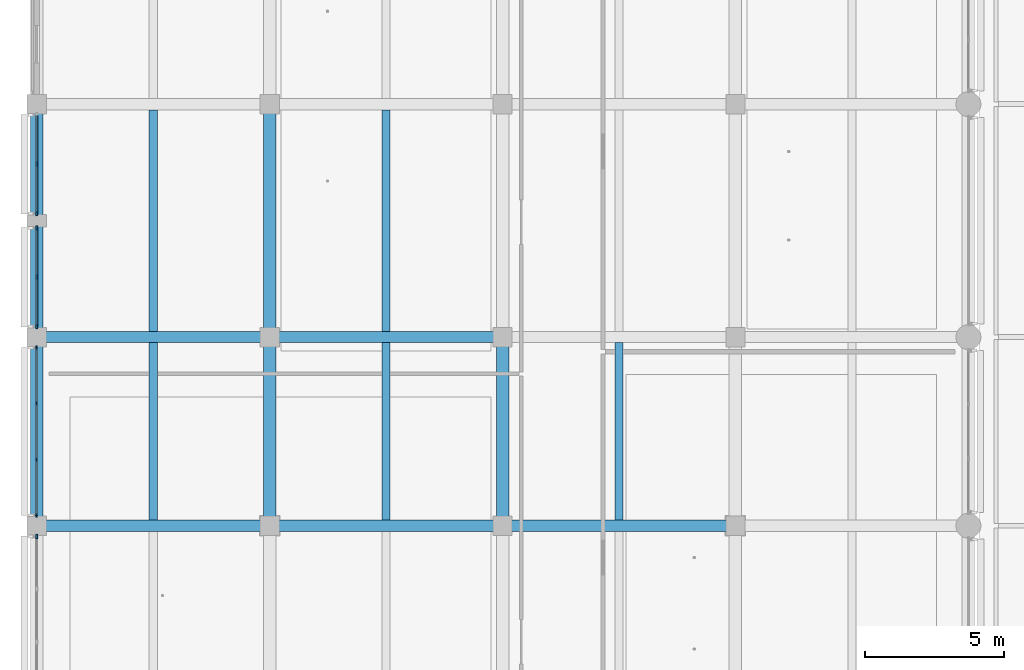
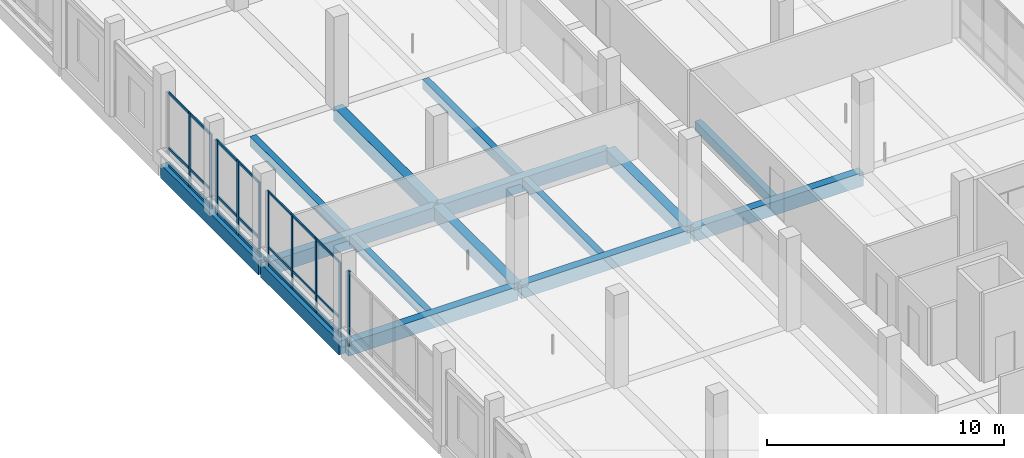
# One storey, part 12 of 128: 31 members, 15 beams, 4 elements without a shape of their own.
"""IFC4 building model written with IfcOpenShell, lengths in metres."""

from ifc_helpers import new_model, si_unit, direction, frame, origin, origin_2d, place, context, subcontext, project, spatial, rectangle, extrude, material, layer, layer_set, material_profile, profile_set, type_object, element, aggregate, save


model = new_model("IFC4")

# Units and contexts
model_context = context("Model", 3, precision=1e-05, world=origin(), true_north=direction((0.0, 1.0)))
body_context = subcontext(model_context, "Body", "Model", "MODEL_VIEW")
ifc_project = project(units=[si_unit("LENGTHUNIT", "METRE"), si_unit("AREAUNIT", "SQUARE_METRE"), si_unit("VOLUMEUNIT", "CUBIC_METRE"), si_unit("PLANEANGLEUNIT", "RADIAN"), si_unit("MASSUNIT", "GRAM", prefix="KILO")], contexts=[model_context])

# Site, building, storey
site_placement = place(None, origin())
site = spatial("IfcSite", under=ifc_project, at=site_placement, CompositionType="ELEMENT")
building_placement = place(site_placement, origin())
building = spatial("IfcBuilding", under=site, at=building_placement, Name="Telukmera Botanical Conservatory", CompositionType="ELEMENT")
storey_placement = place(building_placement, frame((0.0, 0.0, 5.39990234375)))
storey = spatial("IfcBuildingStorey", under=building, at=storey_placement, Name="L01", CompositionType="ELEMENT", Elevation=5.39990234375)

# Beams
ifc_material_1 = material(Name="Concrete C40/50", Category="concrete")
ifc_material_profile_1 = material_profile(ifc_material_1, rectangle(XDim=0.449951171875, YDim=0.699951171875, at=origin_2d()), Name="RC 450x700")
ifc_profile_set_1 = profile_set([ifc_material_profile_1], Name="Concrete C40/50")
beam_type_1 = type_object("IfcBeamType", Name="Beam_B15", PredefinedType="BEAM", material=ifc_profile_set_1)
beam_1_placement = place(storey_placement, frame((8.39990234375, 42.8798828125, -0.349853515625), z_axis=(0.0, 1.0, 0.0), x_axis=(-1.0, 0.0, 0.0)))
element("IfcBeam", 1, at=beam_1_placement, inside=storey, type_object=beam_type_1, Name="Visitor Wing Transverse Beam L01", PredefinedType="BEAM", context=body_context, shape_type="SweptSolid", body=[
    extrude(rectangle(XDim=0.449951171875, YDim=0.699951171875, at=origin_2d()), origin(), (0.0, 0.0, 1.0), 6.64013671875),
])
beam_2_placement = place(storey_placement, frame((8.39990234375, 49.679931640625, -0.349853515625), z_axis=(0.0, 1.0, 0.0), x_axis=(-1.0, 0.0, 0.0)))
element("IfcBeam", 2, at=beam_2_placement, inside=storey, type_object=beam_type_1, Name="Visitor Wing Transverse Beam L01", PredefinedType="BEAM", context=body_context, shape_type="SweptSolid", body=[
    extrude(rectangle(XDim=0.449951171875, YDim=0.699951171875, at=origin_2d()), origin(), (0.0, 0.0, 1.0), 8.239990234375),
])
beam_3_placement = place(storey_placement, frame((16.800048828125, 42.8798828125, -0.349853515625), z_axis=(0.0, 1.0, 0.0), x_axis=(-1.0, 0.0, 0.0)))
element("IfcBeam", 3, at=beam_3_placement, inside=storey, type_object=beam_type_1, Name="Visitor Wing Transverse Beam L01", PredefinedType="BEAM", context=body_context, shape_type="SweptSolid", body=[
    extrude(rectangle(XDim=0.449951171875, YDim=0.699951171875, at=origin_2d()), origin(), (0.0, 0.0, 1.0), 6.64013671875),
])
beam_4_placement = place(storey_placement, frame((16.800048828125, 49.679931640625, -0.349853515625), z_axis=(0.0, 1.0, 0.0), x_axis=(-1.0, 0.0, 0.0)))
element("IfcBeam", 4, at=beam_4_placement, inside=storey, type_object=beam_type_1, Name="Visitor Wing Transverse Beam L01", PredefinedType="BEAM", context=body_context, shape_type="SweptSolid", body=[
    extrude(rectangle(XDim=0.449951171875, YDim=0.699951171875, at=origin_2d()), origin(), (0.0, 0.0, 1.0), 8.239990234375),
])
beam_5_placement = place(storey_placement, frame((25.199951171875, 42.8798828125, -0.349853515625), z_axis=(0.0, 1.0, 0.0), x_axis=(-1.0, 0.0, 0.0)))
element("IfcBeam", 5, at=beam_5_placement, inside=storey, type_object=beam_type_1, Name="Visitor Wing Transverse Beam L01", PredefinedType="BEAM", context=body_context, shape_type="SweptSolid", body=[
    extrude(rectangle(XDim=0.449951171875, YDim=0.699951171875, at=origin_2d()), origin(), (0.0, 0.0, 1.0), 6.64013671875),
])
ifc_material_profile_2 = material_profile(ifc_material_1, rectangle(XDim=0.300048828125, YDim=0.5, at=origin_2d()), Name="RC 300x500")
ifc_profile_set_2 = profile_set([ifc_material_profile_2], Name="Concrete C40/50")
beam_type_2 = type_object("IfcBeamType", Name="Beam_B24", PredefinedType="JOIST", material=ifc_profile_set_2)
beam_6_placement = place(storey_placement, frame((12.60009765625, 43.0, -0.25), z_axis=(0.0, 1.0, 0.0), x_axis=(-1.0, 0.0, 0.0)))
element("IfcBeam", 6, at=beam_6_placement, inside=storey, type_object=beam_type_2, Name="Visitor Wing Floor Joist L01", PredefinedType="JOIST", context=body_context, shape_type="SweptSolid", body=[
    extrude(rectangle(XDim=0.300048828125, YDim=0.5, at=origin_2d()), origin(), (0.0, 0.0, 1.0), 6.39990234375),
])
beam_7_placement = place(storey_placement, frame((12.60009765625, 49.800048828125, -0.25), z_axis=(0.0, 1.0, 0.0), x_axis=(-1.0, 0.0, 0.0)))
element("IfcBeam", 7, at=beam_7_placement, inside=storey, type_object=beam_type_2, Name="Visitor Wing Floor Joist L01", PredefinedType="JOIST", context=body_context, shape_type="SweptSolid", body=[
    extrude(rectangle(XDim=0.300048828125, YDim=0.5, at=origin_2d()), origin(), (0.0, 0.0, 1.0), 8.0),
])
beam_8_placement = place(storey_placement, frame((21.0, 43.0, -0.25), z_axis=(0.0, 1.0, 0.0), x_axis=(-1.0, 0.0, 0.0)))
element("IfcBeam", 8, at=beam_8_placement, inside=storey, type_object=beam_type_2, Name="Visitor Wing Floor Joist L01", PredefinedType="JOIST", context=body_context, shape_type="SweptSolid", body=[
    extrude(rectangle(XDim=0.300048828125, YDim=0.5, at=origin_2d()), origin(), (0.0, 0.0, 1.0), 6.39990234375),
])
beam_9_placement = place(storey_placement, frame((21.0, 49.800048828125, -0.25), z_axis=(0.0, 1.0, 0.0), x_axis=(-1.0, 0.0, 0.0)))
element("IfcBeam", 9, at=beam_9_placement, inside=storey, type_object=beam_type_2, Name="Visitor Wing Floor Joist L01", PredefinedType="JOIST", context=body_context, shape_type="SweptSolid", body=[
    extrude(rectangle(XDim=0.300048828125, YDim=0.5, at=origin_2d()), origin(), (0.0, 0.0, 1.0), 8.0),
])
beam_10_placement = place(storey_placement, frame((29.39990234375, 43.0, -0.25), z_axis=(0.0, 1.0, 0.0), x_axis=(-1.0, 0.0, 0.0)))
element("IfcBeam", 10, at=beam_10_placement, inside=storey, type_object=beam_type_2, Name="Visitor Wing Floor Joist L01", PredefinedType="JOIST", context=body_context, shape_type="SweptSolid", body=[
    extrude(rectangle(XDim=0.300048828125, YDim=0.5, at=origin_2d()), origin(), (0.0, 0.0, 1.0), 6.39990234375),
])
ifc_material_profile_3 = material_profile(ifc_material_1, rectangle(XDim=0.39990234375, YDim=0.699951171875, at=origin_2d()), Name="RC 400x700")
ifc_profile_set_3 = profile_set([ifc_material_profile_3], Name="Concrete C40/50")
beam_type_3 = type_object("IfcBeamType", Name="Beam_B7", PredefinedType="BEAM", material=ifc_profile_set_3)
beam_11_placement = place(storey_placement, frame((8.47998046875, 42.800048828125, -0.349853515625), z_axis=(1.0, 0.0, 0.0), x_axis=(0.0, 1.0, 0.0)))
element("IfcBeam", 11, at=beam_11_placement, inside=storey, type_object=beam_type_3, Name="Visitor Wing Grid Beam L01", PredefinedType="BEAM", context=body_context, shape_type="SweptSolid", body=[
    extrude(rectangle(XDim=0.39990234375, YDim=0.699951171875, at=origin_2d()), origin(), (0.0, 0.0, 1.0), 8.239990234375),
])
beam_12_placement = place(storey_placement, frame((16.8798828125, 42.800048828125, -0.349853515625), z_axis=(1.0, 0.0, 0.0), x_axis=(0.0, 1.0, 0.0)))
element("IfcBeam", 12, at=beam_12_placement, inside=storey, type_object=beam_type_3, Name="Visitor Wing Grid Beam L01", PredefinedType="BEAM", context=body_context, shape_type="SweptSolid", body=[
    extrude(rectangle(XDim=0.39990234375, YDim=0.699951171875, at=origin_2d()), origin(), (0.0, 0.0, 1.0), 8.240234375),
])
for number, where, z_axis, x_axis, name in (
    (13, (25.280029296875, 42.800048828125, -0.349853515625), (1.0, 0.0, 0.0), (0.0, 1.0, 0.0), "Visitor Wing Grid Beam L01"),
    (14, (8.47998046875, 49.60009765625, -0.349853515625), (1.0, 0.0, 0.0), (0.0, 1.0, 0.0), "Visitor Wing Grid Beam L01"),
):
    element("IfcBeam", number, at=place(storey_placement, frame(where, z_axis=z_axis, x_axis=x_axis)), inside=storey, type_object=beam_type_3, Name=name, PredefinedType="BEAM", context=body_context, shape_type="SweptSolid", body=[
        extrude(rectangle(XDim=0.39990234375, YDim=0.699951171875, at=origin_2d()), origin(), (0.0, 0.0, 1.0), 8.239990234375),
    ])
beam_13_placement = place(storey_placement, frame((16.8798828125, 49.60009765625, -0.349853515625), z_axis=(1.0, 0.0, 0.0), x_axis=(0.0, 1.0, 0.0)))
element("IfcBeam", 15, at=beam_13_placement, inside=storey, type_object=beam_type_3, Name="Visitor Wing Grid Beam L01", PredefinedType="BEAM", context=body_context, shape_type="SweptSolid", body=[
    extrude(rectangle(XDim=0.39990234375, YDim=0.699951171875, at=origin_2d()), origin(), (0.0, 0.0, 1.0), 8.240234375),
])

# Curtain wall, members
ifc_material_2 = material(Name="Anodised aluminium 6063-T6", Category="aluminium")
ifc_layer_1 = layer(ifc_material_2, 0.179931640625)
ifc_layer_set_1 = layer_set([ifc_layer_1], Name="Anodised aluminium 6063-T6")
curtain_wall_type_1 = type_object("IfcCurtainWallType", Name="Visitor Courtyard Narrow Bay Curtain Wall", PredefinedType="USERDEFINED", material=ifc_layer_set_1)
curtain_wall_1_placement = place(storey_placement, origin())
curtain_wall_1 = element("IfcCurtainWall", 16, at=curtain_wall_1_placement, inside=storey, type_object=curtain_wall_type_1, Name="Unitised Curtain Wall CW10 V3:L01:W4", ObjectType="UNITISED CURTAIN WALL", PredefinedType="USERDEFINED")
ifc_material_profile_4 = material_profile(ifc_material_2, rectangle(XDim=0.06005859375, YDim=0.139892578125, at=origin_2d()), Name="ALU MULL 60x140")
ifc_profile_set_4 = profile_set([ifc_material_profile_4], Name="Anodised aluminium 6063-T6")
member_type_1 = type_object("IfcMemberType", Name="Curtain Wall Extruded Mullion 60x140", PredefinedType="MULLION", material=ifc_profile_set_4)
member_1_placement = place(storey_placement, frame((8.39990234375, 43.181884765625, 0.0), z_axis=(0.0, 0.0, 1.0), x_axis=(-1.0, 0.0, 0.0)))
member_1 = element("IfcMember", 17, at=member_1_placement, type_object=member_type_1, Name="CW10 mullion 1", PredefinedType="MULLION", context=body_context, shape_type="SweptSolid", body=[
    extrude(rectangle(XDim=0.06005859375, YDim=0.139892578125, at=origin_2d()), origin(), (0.0, 0.0, 1.0), 3.85009765625),
])
member_2_placement = place(storey_placement, frame((8.39990234375, 45.18408203125, 0.0), z_axis=(0.0, 0.0, 1.0), x_axis=(-1.0, 0.0, 0.0)))
member_2 = element("IfcMember", 18, at=member_2_placement, type_object=member_type_1, Name="CW10 mullion 2", PredefinedType="MULLION", context=body_context, shape_type="SweptSolid", body=[
    extrude(rectangle(XDim=0.06005859375, YDim=0.139892578125, at=origin_2d()), origin(), (0.0, 0.0, 1.0), 3.85009765625),
])
member_3_placement = place(storey_placement, frame((8.39990234375, 47.216064453125, 0.0), z_axis=(0.0, 0.0, 1.0), x_axis=(-1.0, 0.0, 0.0)))
member_3 = element("IfcMember", 19, at=member_3_placement, type_object=member_type_1, Name="CW10 mullion 3", PredefinedType="MULLION", context=body_context, shape_type="SweptSolid", body=[
    extrude(rectangle(XDim=0.06005859375, YDim=0.139892578125, at=origin_2d()), origin(), (0.0, 0.0, 1.0), 3.85009765625),
])
member_4_placement = place(storey_placement, frame((8.39990234375, 49.218017578125, 0.0), z_axis=(0.0, 0.0, 1.0), x_axis=(-1.0, 0.0, 0.0)))
member_4 = element("IfcMember", 20, at=member_4_placement, type_object=member_type_1, Name="CW10 mullion 4", PredefinedType="MULLION", context=body_context, shape_type="SweptSolid", body=[
    extrude(rectangle(XDim=0.06005859375, YDim=0.139892578125, at=origin_2d()), origin(), (0.0, 0.0, 1.0), 3.85009765625),
])

# Curtain wall, member
ifc_layer_2 = layer(ifc_material_2, 0.179931640625)
ifc_layer_set_2 = layer_set([ifc_layer_2], Name="Anodised aluminium 6063-T6")
curtain_wall_type_2 = type_object("IfcCurtainWallType", Name="Visitor Gallery First Floor Curtain Wall 1800 Mod", PredefinedType="USERDEFINED", material=ifc_layer_set_2)
curtain_wall_2_placement = place(storey_placement, origin())
curtain_wall_2 = element("IfcCurtainWall", 21, at=curtain_wall_2_placement, inside=storey, type_object=curtain_wall_type_2, Name="Unitised Curtain Wall CW08 V3:L01:W3", ObjectType="UNITISED CURTAIN WALL", PredefinedType="USERDEFINED")
ifc_material_profile_5 = material_profile(ifc_material_2, rectangle(XDim=0.06494140625, YDim=0.159912109375, at=origin_2d()), Name="ALU MULL 65x160")
ifc_profile_set_5 = profile_set([ifc_material_profile_5], Name="Anodised aluminium 6063-T6")
member_type_2 = type_object("IfcMemberType", Name="Curtain Wall Extruded Mullion 65x160", PredefinedType="MULLION", material=ifc_profile_set_5)
member_5_placement = place(storey_placement, frame((8.39990234375, 42.41552734375, 0.0), z_axis=(0.0, 0.0, 1.0), x_axis=(-1.0, 0.0, 0.0)))
member_5 = element("IfcMember", 22, at=member_5_placement, type_object=member_type_2, Name="CW08 mullion 5", PredefinedType="MULLION", context=body_context, shape_type="SweptSolid", body=[
    extrude(rectangle(XDim=0.06494140625, YDim=0.159912109375, at=origin_2d()), origin(), (0.0, 0.0, 1.0), 3.85009765625),
])
aggregate(curtain_wall_2, [member_5])

# Curtain wall, members
curtain_wall_3_placement = place(storey_placement, origin())
curtain_wall_3 = element("IfcCurtainWall", 23, at=curtain_wall_3_placement, inside=storey, type_object=curtain_wall_type_2, Name="Unitised Curtain Wall CW08 V3:L01:W5A", ObjectType="UNITISED CURTAIN WALL", PredefinedType="USERDEFINED")
member_6_placement = place(storey_placement, frame((8.39990234375, 49.984619140625, 0.0), z_axis=(0.0, 0.0, 1.0), x_axis=(-1.0, 0.0, 0.0)))
member_6 = element("IfcMember", 24, at=member_6_placement, type_object=member_type_2, Name="CW08 mullion 1", PredefinedType="MULLION", context=body_context, shape_type="SweptSolid", body=[
    extrude(rectangle(XDim=0.06494140625, YDim=0.159912109375, at=origin_2d()), origin(), (0.0, 0.0, 1.0), 3.85009765625),
])
member_7_placement = place(storey_placement, frame((8.39990234375, 51.762451171875, 0.0), z_axis=(0.0, 0.0, 1.0), x_axis=(-1.0, 0.0, 0.0)))
member_7 = element("IfcMember", 25, at=member_7_placement, type_object=member_type_2, Name="CW08 mullion 2", PredefinedType="MULLION", context=body_context, shape_type="SweptSolid", body=[
    extrude(rectangle(XDim=0.06494140625, YDim=0.159912109375, at=origin_2d()), origin(), (0.0, 0.0, 1.0), 3.85009765625),
])
member_8_placement = place(storey_placement, frame((8.39990234375, 53.54052734375, 0.0), z_axis=(0.0, 0.0, 1.0), x_axis=(-1.0, 0.0, 0.0)))
member_8 = element("IfcMember", 26, at=member_8_placement, type_object=member_type_2, Name="CW08 mullion 3", PredefinedType="MULLION", context=body_context, shape_type="SweptSolid", body=[
    extrude(rectangle(XDim=0.06494140625, YDim=0.159912109375, at=origin_2d()), origin(), (0.0, 0.0, 1.0), 3.85009765625),
])

curtain_wall_4_placement = place(storey_placement, origin())
curtain_wall_4 = element("IfcCurtainWall", 27, at=curtain_wall_4_placement, inside=storey, type_object=curtain_wall_type_2, Name="Unitised Curtain Wall CW08 V3:L01:W5B", ObjectType="UNITISED CURTAIN WALL", PredefinedType="USERDEFINED")
member_9_placement = place(storey_placement, frame((8.39990234375, 54.0595703125, 0.0), z_axis=(0.0, 0.0, 1.0), x_axis=(-1.0, 0.0, 0.0)))
member_9 = element("IfcMember", 28, at=member_9_placement, type_object=member_type_2, Name="CW08 mullion 1", PredefinedType="MULLION", context=body_context, shape_type="SweptSolid", body=[
    extrude(rectangle(XDim=0.06494140625, YDim=0.159912109375, at=origin_2d()), origin(), (0.0, 0.0, 1.0), 3.85009765625),
])
member_10_placement = place(storey_placement, frame((8.39990234375, 55.83740234375, 0.0), z_axis=(0.0, 0.0, 1.0), x_axis=(-1.0, 0.0, 0.0)))
member_10 = element("IfcMember", 29, at=member_10_placement, type_object=member_type_2, Name="CW08 mullion 2", PredefinedType="MULLION", context=body_context, shape_type="SweptSolid", body=[
    extrude(rectangle(XDim=0.06494140625, YDim=0.159912109375, at=origin_2d()), origin(), (0.0, 0.0, 1.0), 3.85009765625),
])

# Member
ifc_material_profile_6 = material_profile(ifc_material_2, rectangle(XDim=0.06005859375, YDim=0.110107421875, at=origin_2d()), Name="ALU TRAN 60x110")
ifc_profile_set_6 = profile_set([ifc_material_profile_6], Name="Anodised aluminium 6063-T6")
member_type_3 = type_object("IfcMemberType", Name="Curtain Wall Extruded Transom 60x110", PredefinedType="USERDEFINED", material=ifc_profile_set_6)
member_11_placement = place(storey_placement, frame((8.39990234375, 43.2119140625, 0.05517578125), z_axis=(0.0, 1.0, 0.0), x_axis=(-1.0, 0.0, 0.0)))
member_11 = element("IfcMember", 30, at=member_11_placement, type_object=member_type_3, Name="CW10 transom 1.1", ObjectType="TRANSOM", PredefinedType="USERDEFINED", context=body_context, shape_type="SweptSolid", body=[
    extrude(rectangle(XDim=0.06005859375, YDim=0.110107421875, at=origin_2d()), origin(), (0.0, 0.0, 1.0), 1.942138671875),
])

member_12_placement = place(storey_placement, frame((8.39990234375, 43.2119140625, 0.9501953125), z_axis=(0.0, 1.0, 0.0), x_axis=(-1.0, 0.0, 0.0)))
member_12 = element("IfcMember", 31, at=member_12_placement, type_object=member_type_3, Name="CW10 transom 1.2", ObjectType="TRANSOM", PredefinedType="USERDEFINED", context=body_context, shape_type="SweptSolid", body=[
    extrude(rectangle(XDim=0.06005859375, YDim=0.110107421875, at=origin_2d()), origin(), (0.0, 0.0, 1.0), 1.942138671875),
])

member_13_placement = place(storey_placement, frame((8.39990234375, 43.2119140625, 3.795166015625), z_axis=(0.0, 1.0, 0.0), x_axis=(-1.0, 0.0, 0.0)))
member_13 = element("IfcMember", 32, at=member_13_placement, type_object=member_type_3, Name="CW10 transom 1.3", ObjectType="TRANSOM", PredefinedType="USERDEFINED", context=body_context, shape_type="SweptSolid", body=[
    extrude(rectangle(XDim=0.06005859375, YDim=0.110107421875, at=origin_2d()), origin(), (0.0, 0.0, 1.0), 1.942138671875),
])

member_14_placement = place(storey_placement, frame((8.39990234375, 45.214111328125, 0.05517578125), z_axis=(0.0, 1.0, 0.0), x_axis=(-1.0, 0.0, 0.0)))
member_14 = element("IfcMember", 33, at=member_14_placement, type_object=member_type_3, Name="CW10 transom 2.1", ObjectType="TRANSOM", PredefinedType="USERDEFINED", context=body_context, shape_type="SweptSolid", body=[
    extrude(rectangle(XDim=0.06005859375, YDim=0.110107421875, at=origin_2d()), origin(), (0.0, 0.0, 1.0), 1.971923828125),
])

member_15_placement = place(storey_placement, frame((8.39990234375, 45.214111328125, 0.9501953125), z_axis=(0.0, 1.0, 0.0), x_axis=(-1.0, 0.0, 0.0)))
member_15 = element("IfcMember", 34, at=member_15_placement, type_object=member_type_3, Name="CW10 transom 2.2", ObjectType="TRANSOM", PredefinedType="USERDEFINED", context=body_context, shape_type="SweptSolid", body=[
    extrude(rectangle(XDim=0.06005859375, YDim=0.110107421875, at=origin_2d()), origin(), (0.0, 0.0, 1.0), 1.971923828125),
])

member_16_placement = place(storey_placement, frame((8.39990234375, 45.214111328125, 3.795166015625), z_axis=(0.0, 1.0, 0.0), x_axis=(-1.0, 0.0, 0.0)))
member_16 = element("IfcMember", 35, at=member_16_placement, type_object=member_type_3, Name="CW10 transom 2.3", ObjectType="TRANSOM", PredefinedType="USERDEFINED", context=body_context, shape_type="SweptSolid", body=[
    extrude(rectangle(XDim=0.06005859375, YDim=0.110107421875, at=origin_2d()), origin(), (0.0, 0.0, 1.0), 1.971923828125),
])

member_17_placement = place(storey_placement, frame((8.39990234375, 47.24609375, 0.05517578125), z_axis=(0.0, 1.0, 0.0), x_axis=(-1.0, 0.0, 0.0)))
member_17 = element("IfcMember", 36, at=member_17_placement, type_object=member_type_3, Name="CW10 transom 3.1", ObjectType="TRANSOM", PredefinedType="USERDEFINED", context=body_context, shape_type="SweptSolid", body=[
    extrude(rectangle(XDim=0.06005859375, YDim=0.110107421875, at=origin_2d()), origin(), (0.0, 0.0, 1.0), 1.94189453125),
])

member_18_placement = place(storey_placement, frame((8.39990234375, 47.24609375, 0.9501953125), z_axis=(0.0, 1.0, 0.0), x_axis=(-1.0, 0.0, 0.0)))
member_18 = element("IfcMember", 37, at=member_18_placement, type_object=member_type_3, Name="CW10 transom 3.2", ObjectType="TRANSOM", PredefinedType="USERDEFINED", context=body_context, shape_type="SweptSolid", body=[
    extrude(rectangle(XDim=0.06005859375, YDim=0.110107421875, at=origin_2d()), origin(), (0.0, 0.0, 1.0), 1.94189453125),
])

member_19_placement = place(storey_placement, frame((8.39990234375, 47.24609375, 3.795166015625), z_axis=(0.0, 1.0, 0.0), x_axis=(-1.0, 0.0, 0.0)))
member_19 = element("IfcMember", 38, at=member_19_placement, type_object=member_type_3, Name="CW10 transom 3.3", ObjectType="TRANSOM", PredefinedType="USERDEFINED", context=body_context, shape_type="SweptSolid", body=[
    extrude(rectangle(XDim=0.06005859375, YDim=0.110107421875, at=origin_2d()), origin(), (0.0, 0.0, 1.0), 1.94189453125),
])

aggregate(curtain_wall_1, [member_1, member_2, member_3, member_4, member_11, member_12, member_13, member_14, member_15, member_16, member_17, member_18, member_19])

ifc_material_profile_7 = material_profile(ifc_material_2, rectangle(XDim=0.06494140625, YDim=0.1298828125, at=origin_2d()), Name="ALU TRAN 65x130")
ifc_profile_set_7 = profile_set([ifc_material_profile_7], Name="Anodised aluminium 6063-T6")
member_type_4 = type_object("IfcMemberType", Name="Curtain Wall Extruded Transom 65x130", PredefinedType="USERDEFINED", material=ifc_profile_set_7)
member_20_placement = place(storey_placement, frame((8.39990234375, 50.01708984375, 0.065185546875), z_axis=(0.0, 1.0, 0.0), x_axis=(-1.0, 0.0, 0.0)))
member_20 = element("IfcMember", 39, at=member_20_placement, type_object=member_type_4, Name="CW08 transom 1.1", ObjectType="TRANSOM", PredefinedType="USERDEFINED", context=body_context, shape_type="SweptSolid", body=[
    extrude(rectangle(XDim=0.06494140625, YDim=0.1298828125, at=origin_2d()), origin(), (0.0, 0.0, 1.0), 1.712890625),
])

member_21_placement = place(storey_placement, frame((8.39990234375, 50.01708984375, 0.9501953125), z_axis=(0.0, 1.0, 0.0), x_axis=(-1.0, 0.0, 0.0)))
member_21 = element("IfcMember", 40, at=member_21_placement, type_object=member_type_4, Name="CW08 transom 1.2", ObjectType="TRANSOM", PredefinedType="USERDEFINED", context=body_context, shape_type="SweptSolid", body=[
    extrude(rectangle(XDim=0.06494140625, YDim=0.1298828125, at=origin_2d()), origin(), (0.0, 0.0, 1.0), 1.712890625),
])

member_22_placement = place(storey_placement, frame((8.39990234375, 50.01708984375, 3.78515625), z_axis=(0.0, 1.0, 0.0), x_axis=(-1.0, 0.0, 0.0)))
member_22 = element("IfcMember", 41, at=member_22_placement, type_object=member_type_4, Name="CW08 transom 1.3", ObjectType="TRANSOM", PredefinedType="USERDEFINED", context=body_context, shape_type="SweptSolid", body=[
    extrude(rectangle(XDim=0.06494140625, YDim=0.1298828125, at=origin_2d()), origin(), (0.0, 0.0, 1.0), 1.712890625),
])

member_23_placement = place(storey_placement, frame((8.39990234375, 51.794921875, 0.065185546875), z_axis=(0.0, 1.0, 0.0), x_axis=(-1.0, 0.0, 0.0)))
member_23 = element("IfcMember", 42, at=member_23_placement, type_object=member_type_4, Name="CW08 transom 2.1", ObjectType="TRANSOM", PredefinedType="USERDEFINED", context=body_context, shape_type="SweptSolid", body=[
    extrude(rectangle(XDim=0.06494140625, YDim=0.1298828125, at=origin_2d()), origin(), (0.0, 0.0, 1.0), 1.713134765625),
])

member_24_placement = place(storey_placement, frame((8.39990234375, 51.794921875, 0.9501953125), z_axis=(0.0, 1.0, 0.0), x_axis=(-1.0, 0.0, 0.0)))
member_24 = element("IfcMember", 43, at=member_24_placement, type_object=member_type_4, Name="CW08 transom 2.2", ObjectType="TRANSOM", PredefinedType="USERDEFINED", context=body_context, shape_type="SweptSolid", body=[
    extrude(rectangle(XDim=0.06494140625, YDim=0.1298828125, at=origin_2d()), origin(), (0.0, 0.0, 1.0), 1.713134765625),
])

member_25_placement = place(storey_placement, frame((8.39990234375, 51.794921875, 3.78515625), z_axis=(0.0, 1.0, 0.0), x_axis=(-1.0, 0.0, 0.0)))
member_25 = element("IfcMember", 44, at=member_25_placement, type_object=member_type_4, Name="CW08 transom 2.3", ObjectType="TRANSOM", PredefinedType="USERDEFINED", context=body_context, shape_type="SweptSolid", body=[
    extrude(rectangle(XDim=0.06494140625, YDim=0.1298828125, at=origin_2d()), origin(), (0.0, 0.0, 1.0), 1.713134765625),
])

aggregate(curtain_wall_3, [member_6, member_7, member_8, member_20, member_21, member_22, member_23, member_24, member_25])

member_26_placement = place(storey_placement, frame((8.39990234375, 54.092041015625, 0.065185546875), z_axis=(0.0, 1.0, 0.0), x_axis=(-1.0, 0.0, 0.0)))
member_26 = element("IfcMember", 45, at=member_26_placement, type_object=member_type_4, Name="CW08 transom 1.1", ObjectType="TRANSOM", PredefinedType="USERDEFINED", context=body_context, shape_type="SweptSolid", body=[
    extrude(rectangle(XDim=0.06494140625, YDim=0.1298828125, at=origin_2d()), origin(), (0.0, 0.0, 1.0), 1.712890625),
])

member_27_placement = place(storey_placement, frame((8.39990234375, 54.092041015625, 0.9501953125), z_axis=(0.0, 1.0, 0.0), x_axis=(-1.0, 0.0, 0.0)))
member_27 = element("IfcMember", 46, at=member_27_placement, type_object=member_type_4, Name="CW08 transom 1.2", ObjectType="TRANSOM", PredefinedType="USERDEFINED", context=body_context, shape_type="SweptSolid", body=[
    extrude(rectangle(XDim=0.06494140625, YDim=0.1298828125, at=origin_2d()), origin(), (0.0, 0.0, 1.0), 1.712890625),
])

member_28_placement = place(storey_placement, frame((8.39990234375, 54.092041015625, 3.78515625), z_axis=(0.0, 1.0, 0.0), x_axis=(-1.0, 0.0, 0.0)))
member_28 = element("IfcMember", 47, at=member_28_placement, type_object=member_type_4, Name="CW08 transom 1.3", ObjectType="TRANSOM", PredefinedType="USERDEFINED", context=body_context, shape_type="SweptSolid", body=[
    extrude(rectangle(XDim=0.06494140625, YDim=0.1298828125, at=origin_2d()), origin(), (0.0, 0.0, 1.0), 1.712890625),
])

member_29_placement = place(storey_placement, frame((8.39990234375, 55.8701171875, 0.065185546875), z_axis=(0.0, 1.0, 0.0), x_axis=(-1.0, 0.0, 0.0)))
member_29 = element("IfcMember", 48, at=member_29_placement, type_object=member_type_4, Name="CW08 transom 2.1", ObjectType="TRANSOM", PredefinedType="USERDEFINED", context=body_context, shape_type="SweptSolid", body=[
    extrude(rectangle(XDim=0.06494140625, YDim=0.1298828125, at=origin_2d()), origin(), (0.0, 0.0, 1.0), 1.712890625),
])

member_30_placement = place(storey_placement, frame((8.39990234375, 55.8701171875, 0.9501953125), z_axis=(0.0, 1.0, 0.0), x_axis=(-1.0, 0.0, 0.0)))
member_30 = element("IfcMember", 49, at=member_30_placement, type_object=member_type_4, Name="CW08 transom 2.2", ObjectType="TRANSOM", PredefinedType="USERDEFINED", context=body_context, shape_type="SweptSolid", body=[
    extrude(rectangle(XDim=0.06494140625, YDim=0.1298828125, at=origin_2d()), origin(), (0.0, 0.0, 1.0), 1.712890625),
])

member_31_placement = place(storey_placement, frame((8.39990234375, 55.8701171875, 3.78515625), z_axis=(0.0, 1.0, 0.0), x_axis=(-1.0, 0.0, 0.0)))
member_31 = element("IfcMember", 50, at=member_31_placement, type_object=member_type_4, Name="CW08 transom 2.3", ObjectType="TRANSOM", PredefinedType="USERDEFINED", context=body_context, shape_type="SweptSolid", body=[
    extrude(rectangle(XDim=0.06494140625, YDim=0.1298828125, at=origin_2d()), origin(), (0.0, 0.0, 1.0), 1.712890625),
])

aggregate(curtain_wall_4, [member_9, member_10, member_26, member_27, member_28, member_29, member_30, member_31])

save(model, "model.ifc")
